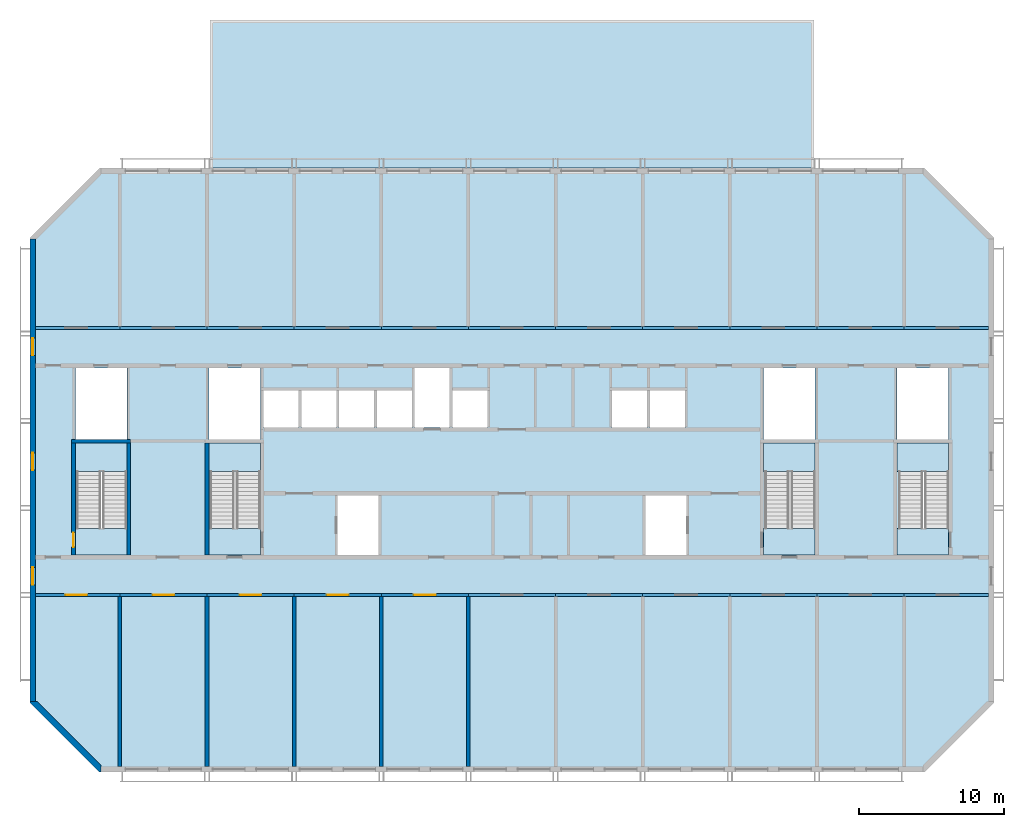
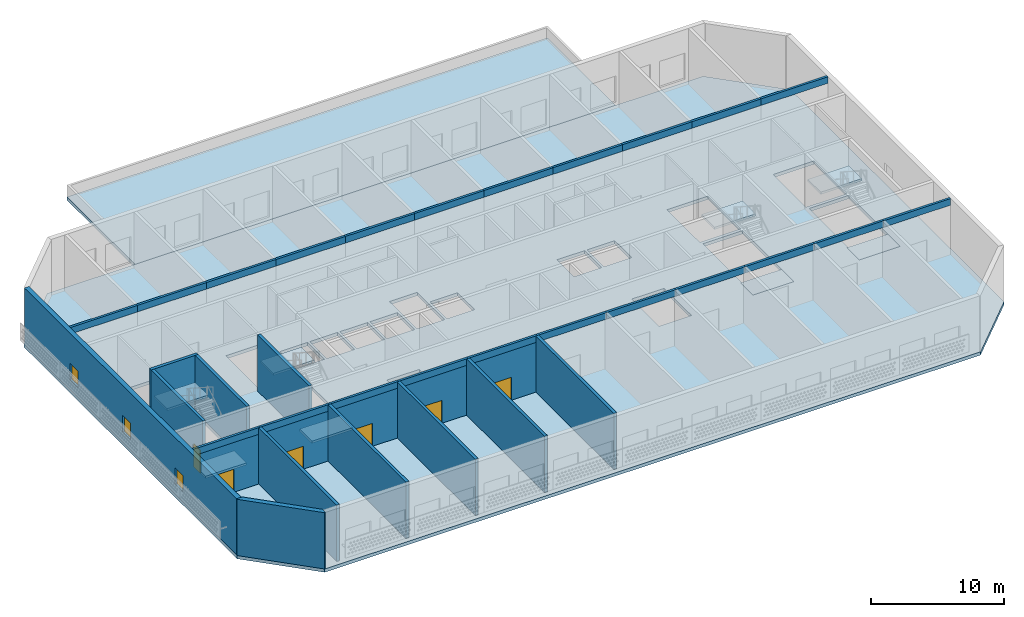
# One storey, part 1 of 18: 22 beams, 16 walls, 10 slabs, 6 doors, 3 windows, 9 openings, 4 elements without a shape of their own.
"""IFC4 building model written with IfcOpenShell, lengths in metres."""

import ifcopenshell
import ifcopenshell.guid

model = None  # the IFC model being written
_history = None  # IfcOwnerHistory: only IFC2X3 demands one
_inside = {}  # id of a spatial element -> (the spatial element, [elements in it])
_under = {}  # id of a project, library or spatial element -> (it, [spatial elements below it])
_declared = {}  # id of a project -> (the project, [libraries it declares])
_typed = {}  # id of a type object -> (the type object, [elements of that type])
_made_of = {}  # id of a material, layer set ... -> (it, [elements and type objects made of it])


def new_model(schema):
    """Start an empty IFC model of exactly this schema.

    Asked for "IFC4X3", IfcOpenShell would pick the latest addendum, in which some entities
    have other attributes; the version numbers below select the first issue.
    IFC2X3 requires an IfcOwnerHistory on every rooted entity: one is made here for all.
    """
    global model, _history
    if schema == "IFC4X3":
        model = ifcopenshell.file(schema_version=(4, 3, 0, 0))
    else:
        model = ifcopenshell.file(schema=schema)
    _inside.clear()
    _under.clear()
    _declared.clear()
    _typed.clear()
    _made_of.clear()
    _history = None
    if model.schema == "IFC2X3":
        org = make("IfcOrganization", Name="unknown")
        user = make(
            "IfcPersonAndOrganization",
            ThePerson=make("IfcPerson", FamilyName="unknown"),
            TheOrganization=org,
        )
        app = make(
            "IfcApplication",
            ApplicationDeveloper=org,
            Version="unknown",
            ApplicationFullName="unknown",
            ApplicationIdentifier="unknown",
        )
        _history = make(
            "IfcOwnerHistory",
            OwningUser=user,
            OwningApplication=app,
            ChangeAction="ADDED",
            CreationDate=0,
        )
    return model


def make(cls, **values):
    """One entity of the class cls with the attributes given. An attribute that is None is left unset."""
    return model.create_entity(
        cls, **{name: value for name, value in values.items() if value is not None}
    )


def rooted(cls, **values):
    """An entity with a GlobalId (a new one), such as an element, a storey or a relation."""
    return make(cls, GlobalId=ifcopenshell.guid.new(), OwnerHistory=_history, **values)


def si_unit(unit_type, name, prefix=None):
    """IfcSIUnit, for example si_unit("LENGTHUNIT", "METRE", prefix="MILLI")."""
    return make("IfcSIUnit", UnitType=unit_type, Prefix=prefix, Name=name)


def assignment(units):
    """IfcUnitAssignment: the units of a project."""
    return None if units is None else make("IfcUnitAssignment", Units=units)


def point(xyz):
    """IfcCartesianPoint."""
    return None if xyz is None else make("IfcCartesianPoint", Coordinates=xyz)


def direction(xyz):
    """IfcDirection."""
    return None if xyz is None else make("IfcDirection", DirectionRatios=xyz)


def frame(location, z_axis=None, x_axis=None):
    """IfcAxis2Placement3D, a coordinate frame: its origin and axes. An axis left out is left unset."""
    return make(
        "IfcAxis2Placement3D",
        Location=point(location),
        Axis=direction(z_axis),
        RefDirection=direction(x_axis),
    )


def frame_2d(location, x_axis=None):
    """IfcAxis2Placement2D, a coordinate frame in the plane: its origin and x axis."""
    return make(
        "IfcAxis2Placement2D", Location=point(location), RefDirection=direction(x_axis)
    )


def origin():
    """The frame at (0, 0, 0) with its axes left unset."""
    return frame((0.0, 0.0, 0.0))


def origin_2d():
    """The frame at (0, 0) in the plane with its x axis left unset."""
    return frame_2d((0.0, 0.0))


def place(relative_to, where):
    """IfcLocalPlacement: puts the frame where relative to a parent placement (None: the world)."""
    return make(
        "IfcLocalPlacement", PlacementRelTo=relative_to, RelativePlacement=where
    )


def context(
    kind, dimensions, precision=None, world=None, true_north=None, identifier=None
):
    """IfcGeometricRepresentationContext, for example the 3D "Model" context."""
    return make(
        "IfcGeometricRepresentationContext",
        ContextIdentifier=identifier,
        ContextType=kind,
        CoordinateSpaceDimension=dimensions,
        Precision=precision,
        WorldCoordinateSystem=world,
        TrueNorth=true_north,
    )


def subcontext(parent, identifier, kind, view, scale=None):
    """IfcGeometricRepresentationSubContext, for example "Body" below "Model"."""
    return make(
        "IfcGeometricRepresentationSubContext",
        ContextIdentifier=identifier,
        ContextType=kind,
        ParentContext=parent,
        TargetScale=scale,
        TargetView=view,
    )


def project(units=None, contexts=None):
    """IfcProject with its units and contexts."""
    return rooted(
        "IfcProject",
        Name="project",
        RepresentationContexts=contexts,
        UnitsInContext=assignment(units),
    )


def spatial(cls, under=None, at=None, **own):
    """A site, building, storey or space (cls), placed at a placement, below another one or the project."""
    s = rooted(cls, ObjectPlacement=at, **own)
    if under is not None:
        _under.setdefault(under.id(), (under, []))[1].append(s)
    return s


def polyline(points):
    """IfcPolyline through the points."""
    return make("IfcPolyline", Points=[point(p) for p in points])


def profile(cls, at=None, kind="AREA", **sizes):
    """A parametric profile (cls). Its sizes go by their IFC names, for example OverallWidth=200.0."""
    return make(cls, ProfileType=kind, Position=at, **sizes)


def rectangle(**sizes):
    """IfcRectangleProfileDef."""
    return profile("IfcRectangleProfileDef", **sizes)


def outline(outer, holes=None, kind="AREA"):
    """IfcArbitraryClosedProfileDef: a profile drawn as a closed curve; with holes, ...WithVoids."""
    if holes is None:
        return make("IfcArbitraryClosedProfileDef", ProfileType=kind, OuterCurve=outer)
    return make(
        "IfcArbitraryProfileDefWithVoids",
        ProfileType=kind,
        OuterCurve=outer,
        InnerCurves=holes,
    )


def extrude(swept, where, along, depth):
    """IfcExtrudedAreaSolid: the profile swept, set in the frame where, extruded along a direction by depth."""
    return make(
        "IfcExtrudedAreaSolid",
        SweptArea=swept,
        Position=where,
        ExtrudedDirection=direction(along),
        Depth=depth,
    )


def shape(context_of_items, identifier, shape_type, items):
    """IfcShapeRepresentation: the items that make up one representation, for example the "Body"."""
    return make(
        "IfcShapeRepresentation",
        ContextOfItems=context_of_items,
        RepresentationIdentifier=identifier,
        RepresentationType=shape_type,
        Items=items,
    )


def source(mapping_origin, context_of_items, identifier, shape_type, items):
    """IfcRepresentationMap: a shape defined once, which mapped items show again and again."""
    return make(
        "IfcRepresentationMap",
        MappingOrigin=mapping_origin,
        MappedRepresentation=shape(context_of_items, identifier, shape_type, items),
    )


def transform(
    local_origin,
    x_axis=None,
    y_axis=None,
    z_axis=None,
    scale=None,
    scale2=None,
    scale3=None,
    uniform=True,
):
    """IfcCartesianTransformationOperator3D, or its non-uniform kind. x_axis, y_axis, z_axis: its Axis1, 2, 3."""
    if uniform:
        return make(
            "IfcCartesianTransformationOperator3D",
            Axis1=direction(x_axis),
            Axis2=direction(y_axis),
            LocalOrigin=point(local_origin),
            Scale=scale,
            Axis3=direction(z_axis),
        )
    return make(
        "IfcCartesianTransformationOperator3DnonUniform",
        Axis1=direction(x_axis),
        Axis2=direction(y_axis),
        LocalOrigin=point(local_origin),
        Scale=scale,
        Axis3=direction(z_axis),
        Scale2=scale2,
        Scale3=scale3,
    )


def mapped(mapping_source, mapping_target):
    """IfcMappedItem: shows the shape of a source again, moved by a transform."""
    return make(
        "IfcMappedItem", MappingSource=mapping_source, MappingTarget=mapping_target
    )


def material(Name=None, Category=None):
    """IfcMaterial."""
    return make("IfcMaterial", Name=Name, Category=Category)


def layer(
    of_material, thickness, ventilated=None, Name=None, Category=None, Priority=None
):
    """IfcMaterialLayer: one layer of a wall or slab, of a material (None: an air gap)."""
    return make(
        "IfcMaterialLayer",
        Material=of_material,
        LayerThickness=thickness,
        IsVentilated=ventilated,
        Name=Name,
        Category=Category,
        Priority=Priority,
    )


def layer_set(layers, Name=None):
    """IfcMaterialLayerSet."""
    return make("IfcMaterialLayerSet", MaterialLayers=layers, LayerSetName=Name)


def material_profile(
    of_material, cross_section, Name=None, Category=None, Priority=None
):
    """IfcMaterialProfile: a cross section and its material."""
    return make(
        "IfcMaterialProfile",
        Name=Name,
        Material=of_material,
        Profile=cross_section,
        Priority=Priority,
        Category=Category,
    )


def profile_set(profiles, Name=None, composite=None):
    """IfcMaterialProfileSet."""
    return make(
        "IfcMaterialProfileSet",
        Name=Name,
        MaterialProfiles=profiles,
        CompositeProfile=composite,
    )


def made_of(thing, what):
    """Note that an element or type object is made of a material, layer set ...; save() writes the relation."""
    if what is not None:
        _made_of.setdefault(what.id(), (what, []))[1].append(thing)
    return thing


def type_object(cls, material=None, **own):
    """A type object (cls), such as IfcWallType, which elements share."""
    return made_of(rooted(cls, **own), material)


def element(
    cls,
    number,
    at=None,
    inside=None,
    cuts=None,
    type_object=None,
    material=None,
    context=None,
    identifier="Body",
    shape_type=None,
    held_by="IfcProductDefinitionShape",
    body=None,
    shapes=None,
    **own,
):
    """One element of the class cls, such as IfcWall. Its Tag is "e" and its number.

    at: its placement. inside: the storey or other place that contains it. cuts: it is an
    opening in that element (IfcRelVoidsElement). A single representation is given by context,
    identifier, shape_type and body (its items); several are given by shapes. held_by: the class
    of the entity that holds the representations. save() writes the other relations.
    """
    e = rooted(cls, Tag="e%d" % number, ObjectPlacement=at, **own)
    if body is not None:
        shapes = [shape(context, identifier, shape_type, body)]
    if shapes is not None:
        e.Representation = make(held_by, Representations=shapes)
    if inside is not None:
        _inside.setdefault(inside.id(), (inside, []))[1].append(e)
    if cuts is not None:
        rooted(
            "IfcRelVoidsElement", RelatingBuildingElement=cuts, RelatedOpeningElement=e
        )
    if type_object is not None:
        _typed.setdefault(type_object.id(), (type_object, []))[1].append(e)
    return made_of(e, material)


def fill(opening, filler):
    """IfcRelFillsElement: the door or window that sits in an opening."""
    return rooted(
        "IfcRelFillsElement",
        RelatingOpeningElement=opening,
        RelatedBuildingElement=filler,
    )


def aggregate(whole, parts):
    """IfcRelAggregates: a whole, such as a stair, and the parts it consists of."""
    return rooted("IfcRelAggregates", RelatingObject=whole, RelatedObjects=parts)


def save(model, path):
    """Write the relations noted so far, then the file.

    IfcRelAggregates (storeys below a building ...), IfcRelContainedInSpatialStructure (elements
    in a storey), IfcRelDefinesByType, IfcRelAssociatesMaterial and IfcRelDeclares: one each for
    every whole, place, type object, material and project.
    """
    for whole, parts in _under.values():
        aggregate(whole, parts)
    for where, things in _inside.values():
        rooted(
            "IfcRelContainedInSpatialStructure",
            RelatedElements=things,
            RelatingStructure=where,
        )
    for kind, things in _typed.values():
        rooted("IfcRelDefinesByType", RelatedObjects=things, RelatingType=kind)
    for what, things in _made_of.values():
        rooted("IfcRelAssociatesMaterial", RelatedObjects=things, RelatingMaterial=what)
    for by, libraries in _declared.values():
        rooted("IfcRelDeclares", RelatingContext=by, RelatedDefinitions=libraries)
    model.write(path)


model = new_model("IFC4")

# Units and contexts
model_context = context("Model", 3, precision=1e-05, world=origin(), true_north=direction((0.0, 1.0)))
body_context = subcontext(model_context, "Body", "Model", "MODEL_VIEW")
ifc_project = project(units=[si_unit("LENGTHUNIT", "METRE"), si_unit("AREAUNIT", "SQUARE_METRE"), si_unit("VOLUMEUNIT", "CUBIC_METRE"), si_unit("PLANEANGLEUNIT", "RADIAN"), si_unit("MASSUNIT", "GRAM", prefix="KILO")], contexts=[model_context])

# Site, building, storey
site_placement = place(None, origin())
site = spatial("IfcSite", under=ifc_project, at=site_placement, CompositionType="ELEMENT")
building_placement = place(site_placement, origin())
building = spatial("IfcBuilding", under=site, at=building_placement, Name="Poui Terraces", CompositionType="ELEMENT")
storey_placement = place(building_placement, frame((0.0, 0.0, 267.0)))
storey = spatial("IfcBuildingStorey", under=building, at=storey_placement, Name="L74", CompositionType="ELEMENT", Elevation=267.0)

# Beams
ifc_material_1 = material(Name="Concrete 50 MPa", Category="concrete")
ifc_material_profile = material_profile(ifc_material_1, rectangle(XDim=0.199951171875, YDim=0.60009765625, at=origin_2d()), Name="RC 200x600")
ifc_profile_set = profile_set([ifc_material_profile], Name="Concrete 50 MPa")
beam_type = type_object("IfcBeamType", Name="COUPLING BEAM 200x600 50MPa", PredefinedType="BEAM", material=ifc_profile_set)
shared_shape_1 = source(origin(), body_context, "Body", "SweptSolid", [
    extrude(rectangle(XDim=0.199951171875, YDim=0.60009765625, at=origin_2d()), origin(), (0.0, 0.0, 1.0), 5.800048828125),
])
for number, where, z_axis, x_axis, name in (
    (1, (18.199951171875, 12.0, 4.85009765625), (1.0, 0.0, 0.0), (0.0, 1.0, 0.0), "COUPLING BEAM LINE B BAY 1"),
    (2, (78.0, 12.0, 4.85009765625), (1.0, 0.0, 0.0), (0.0, 1.0, 0.0), "COUPLING BEAM LINE B BAY 11"),
    (3, (18.199951171875, 30.39990234375, 4.85009765625), (1.0, 0.0, 0.0), (0.0, 1.0, 0.0), "COUPLING BEAM LINE E BAY 1"),
    (4, (78.0, 30.39990234375, 4.85009765625), (1.0, 0.0, 0.0), (0.0, 1.0, 0.0), "COUPLING BEAM LINE E BAY 11"),
):
    element("IfcBeam", number, at=place(storey_placement, frame(where, z_axis=z_axis, x_axis=x_axis)), inside=storey, type_object=beam_type, Name=name, PredefinedType="BEAM", context=body_context, shape_type="MappedRepresentation", body=[
        mapped(shared_shape_1, transform((0.0, 0.0, 0.0))),
    ])
shared_shape_2 = source(origin(), body_context, "Body", "SweptSolid", [
    extrude(rectangle(XDim=0.199951171875, YDim=0.60009765625, at=origin_2d()), origin(), (0.0, 0.0, 1.0), 6.0),
])
for number, where, z_axis, x_axis, name in (
    (5, (24.0, 12.0, 4.85009765625), (1.0, 0.0, 0.0), (0.0, 1.0, 0.0), "COUPLING BEAM LINE B BAY 2"),
    (6, (30.0, 12.0, 4.85009765625), (1.0, 0.0, 0.0), (0.0, 1.0, 0.0), "COUPLING BEAM LINE B BAY 3"),
    (7, (36.0, 12.0, 4.85009765625), (1.0, 0.0, 0.0), (0.0, 1.0, 0.0), "COUPLING BEAM LINE B BAY 4"),
    (8, (42.0, 12.0, 4.85009765625), (1.0, 0.0, 0.0), (0.0, 1.0, 0.0), "COUPLING BEAM LINE B BAY 5"),
    (9, (48.0, 12.0, 4.85009765625), (1.0, 0.0, 0.0), (0.0, 1.0, 0.0), "COUPLING BEAM LINE B BAY 6"),
    (10, (54.0, 12.0, 4.85009765625), (1.0, 0.0, 0.0), (0.0, 1.0, 0.0), "COUPLING BEAM LINE B BAY 7"),
    (11, (60.0, 12.0, 4.85009765625), (1.0, 0.0, 0.0), (0.0, 1.0, 0.0), "COUPLING BEAM LINE B BAY 8"),
    (12, (66.0, 12.0, 4.85009765625), (1.0, 0.0, 0.0), (0.0, 1.0, 0.0), "COUPLING BEAM LINE B BAY 9"),
    (13, (72.0, 12.0, 4.85009765625), (1.0, 0.0, 0.0), (0.0, 1.0, 0.0), "COUPLING BEAM LINE B BAY 10"),
    (14, (24.0, 30.39990234375, 4.85009765625), (1.0, 0.0, 0.0), (0.0, 1.0, 0.0), "COUPLING BEAM LINE E BAY 2"),
    (15, (30.0, 30.39990234375, 4.85009765625), (1.0, 0.0, 0.0), (0.0, 1.0, 0.0), "COUPLING BEAM LINE E BAY 3"),
    (16, (36.0, 30.39990234375, 4.85009765625), (1.0, 0.0, 0.0), (0.0, 1.0, 0.0), "COUPLING BEAM LINE E BAY 4"),
    (17, (42.0, 30.39990234375, 4.85009765625), (1.0, 0.0, 0.0), (0.0, 1.0, 0.0), "COUPLING BEAM LINE E BAY 5"),
    (18, (48.0, 30.39990234375, 4.85009765625), (1.0, 0.0, 0.0), (0.0, 1.0, 0.0), "COUPLING BEAM LINE E BAY 6"),
    (19, (54.0, 30.39990234375, 4.85009765625), (1.0, 0.0, 0.0), (0.0, 1.0, 0.0), "COUPLING BEAM LINE E BAY 7"),
    (20, (60.0, 30.39990234375, 4.85009765625), (1.0, 0.0, 0.0), (0.0, 1.0, 0.0), "COUPLING BEAM LINE E BAY 8"),
    (21, (66.0, 30.39990234375, 4.85009765625), (1.0, 0.0, 0.0), (0.0, 1.0, 0.0), "COUPLING BEAM LINE E BAY 9"),
    (22, (72.0, 30.39990234375, 4.85009765625), (1.0, 0.0, 0.0), (0.0, 1.0, 0.0), "COUPLING BEAM LINE E BAY 10"),
):
    element("IfcBeam", number, at=place(storey_placement, frame(where, z_axis=z_axis, x_axis=x_axis)), inside=storey, type_object=beam_type, Name=name, PredefinedType="BEAM", context=body_context, shape_type="MappedRepresentation", body=[
        mapped(shared_shape_2, transform((0.0, 0.0, 0.0))),
    ])

# Stair, slabs
stair_type = type_object("IfcStairType", Name="EXIT STAIR 1650 50 MPA", PredefinedType="HALF_TURN_STAIR", material=ifc_material_1)
stair_1_placement = place(storey_placement, origin())
stair_1 = element("IfcStair", 23, at=stair_1_placement, inside=storey, type_object=stair_type, Name="L74 CORE STAIR EAST", PredefinedType="HALF_TURN_STAIR")
ifc_layer_1 = layer(ifc_material_1, 0.199951171875)
ifc_layer_set_1 = layer_set([ifc_layer_1], Name="Concrete 50 MPa")
slab_type_1 = type_object("IfcSlabType", Name="STAIR LANDING 200 50 MPA", PredefinedType="LANDING", material=ifc_layer_set_1)
slab_1_placement = place(storey_placement, frame((0.0, 0.0, 2.5)))
slab_1 = element("IfcSlab", 24, at=slab_1_placement, type_object=slab_type_1, Name="ST-CE landing 1", PredefinedType="LANDING", context=body_context, shape_type="SweptSolid", body=[
    extrude(outline(polyline([(68.324951171875, 20.52001953125), (71.875, 20.52001953125), (71.875, 22.47509765625), (68.324951171875, 22.47509765625), (68.324951171875, 20.52001953125)])), origin(), (0.0, 0.0, 1.0), 0.199951171875),
])
slab_2_placement = place(storey_placement, frame((0.0, 0.0, -0.2001953125)))
slab_2 = element("IfcSlab", 25, at=slab_2_placement, type_object=slab_type_1, Name="ST-CE landing 2", PredefinedType="LANDING", context=body_context, shape_type="SweptSolid", body=[
    extrude(outline(polyline([(68.324951171875, 14.75), (71.875, 14.75), (71.875, 16.60009765625), (68.324951171875, 16.60009765625), (68.324951171875, 14.75)])), origin(), (0.0, 0.0, 1.0), 0.2001953125),
])
aggregate(stair_1, [slab_1, slab_2])

stair_2_placement = place(storey_placement, origin())
stair_2 = element("IfcStair", 26, at=stair_2_placement, inside=storey, type_object=stair_type, Name="L74 CORE STAIR WEST", PredefinedType="HALF_TURN_STAIR")
slab_3_placement = place(storey_placement, frame((0.0, 0.0, 2.5)))
slab_3 = element("IfcSlab", 27, at=slab_3_placement, type_object=slab_type_1, Name="ST-CW landing 1", PredefinedType="LANDING", context=body_context, shape_type="SweptSolid", body=[
    extrude(outline(polyline([(30.125, 20.52001953125), (33.675048828125, 20.52001953125), (33.675048828125, 22.47509765625), (30.125, 22.47509765625), (30.125, 20.52001953125)])), origin(), (0.0, 0.0, 1.0), 0.199951171875),
])
slab_4_placement = place(storey_placement, frame((0.0, 0.0, -0.2001953125)))
slab_4 = element("IfcSlab", 28, at=slab_4_placement, type_object=slab_type_1, Name="ST-CW landing 2", PredefinedType="LANDING", context=body_context, shape_type="SweptSolid", body=[
    extrude(outline(polyline([(30.125, 14.75), (33.675048828125, 14.75), (33.675048828125, 16.60009765625), (30.125, 16.60009765625), (30.125, 14.75)])), origin(), (0.0, 0.0, 1.0), 0.2001953125),
])
aggregate(stair_2, [slab_3, slab_4])

stair_3_placement = place(storey_placement, origin())
stair_3 = element("IfcStair", 29, at=stair_3_placement, inside=storey, type_object=stair_type, Name="L74 TIP STAIR EAST", PredefinedType="HALF_TURN_STAIR")
slab_5_placement = place(storey_placement, frame((0.0, 0.0, 2.5)))
slab_5 = element("IfcSlab", 30, at=slab_5_placement, type_object=slab_type_1, Name="ST-E landing 1", PredefinedType="LANDING", context=body_context, shape_type="SweptSolid", body=[
    extrude(outline(polyline([(77.52490234375, 20.52001953125), (81.074951171875, 20.52001953125), (81.074951171875, 22.47509765625), (77.52490234375, 22.47509765625), (77.52490234375, 20.52001953125)])), origin(), (0.0, 0.0, 1.0), 0.199951171875),
])
slab_6_placement = place(storey_placement, frame((0.0, 0.0, -0.2001953125)))
slab_6 = element("IfcSlab", 31, at=slab_6_placement, type_object=slab_type_1, Name="ST-E landing 2", PredefinedType="LANDING", context=body_context, shape_type="SweptSolid", body=[
    extrude(outline(polyline([(77.52490234375, 14.75), (81.074951171875, 14.75), (81.074951171875, 16.60009765625), (77.52490234375, 16.60009765625), (77.52490234375, 14.75)])), origin(), (0.0, 0.0, 1.0), 0.2001953125),
])
aggregate(stair_3, [slab_5, slab_6])

stair_4_placement = place(storey_placement, origin())
stair_4 = element("IfcStair", 32, at=stair_4_placement, inside=storey, type_object=stair_type, Name="L74 TIP STAIR WEST", PredefinedType="HALF_TURN_STAIR")
slab_7_placement = place(storey_placement, frame((0.0, 0.0, 2.5)))
slab_7 = element("IfcSlab", 33, at=slab_7_placement, type_object=slab_type_1, Name="ST-W landing 1", PredefinedType="LANDING", context=body_context, shape_type="SweptSolid", body=[
    extrude(outline(polyline([(20.925048828125, 20.52001953125), (24.47509765625, 20.52001953125), (24.47509765625, 22.47509765625), (20.925048828125, 22.47509765625), (20.925048828125, 20.52001953125)])), origin(), (0.0, 0.0, 1.0), 0.199951171875),
])
slab_8_placement = place(storey_placement, frame((0.0, 0.0, -0.2001953125)))
slab_8 = element("IfcSlab", 34, at=slab_8_placement, type_object=slab_type_1, Name="ST-W landing 2", PredefinedType="LANDING", context=body_context, shape_type="SweptSolid", body=[
    extrude(outline(polyline([(20.925048828125, 14.75), (24.47509765625, 14.75), (24.47509765625, 16.60009765625), (20.925048828125, 16.60009765625), (20.925048828125, 14.75)])), origin(), (0.0, 0.0, 1.0), 0.2001953125),
])
aggregate(stair_4, [slab_7, slab_8])

# Slabs
ifc_material_2 = material(Name="Concrete 40 MPa", Category="concrete")
ifc_layer_2 = layer(ifc_material_2, 0.300048828125)
ifc_layer_set_2 = layer_set([ifc_layer_2], Name="Concrete 40 MPa")
slab_type_2 = type_object("IfcSlabType", Name="FLOOR SLAB 300", PredefinedType="FLOOR", material=ifc_layer_set_2)
shared_shape_3 = source(origin(), body_context, "Body", "SweptSolid", [
    extrude(outline(polyline([(0.0, 0.0), (4.800048828125, -4.800048828125), (61.599853515625, -4.800048828125), (66.39990234375, 0.0), (66.39990234375, 32.0), (61.599853515625, 36.7998046875), (4.800048828125, 36.7998046875), (0.0, 32.0), (0.0, 0.0)]), holes=[polyline([(21.199951171875, 10.14990234375), (21.199951171875, 14.25), (24.0, 14.25), (24.0, 10.14990234375), (21.199951171875, 10.14990234375)]), polyline([(3.224853515625, 17.849853515625), (6.675048828125, 17.849853515625), (6.675048828125, 12.0), (6.675048828125, 10.14990234375), (3.125, 10.14990234375), (3.125, 12.0), (3.224853515625, 12.0), (3.224853515625, 17.849853515625)]), polyline([(12.425048828125, 17.849853515625), (15.875, 17.849853515625), (15.875, 12.0), (15.875, 10.14990234375), (12.324951171875, 10.14990234375), (12.324951171875, 12.0), (12.425048828125, 12.0), (12.425048828125, 17.849853515625)]), polyline([(16.099853515625, 18.949951171875), (16.099853515625, 21.5), (18.5, 21.5), (18.5, 18.949951171875), (16.099853515625, 18.949951171875)]), polyline([(18.699951171875, 18.949951171875), (18.699951171875, 21.5), (21.099853515625, 21.5), (21.099853515625, 18.949951171875), (18.699951171875, 18.949951171875)]), polyline([(21.300048828125, 18.949951171875), (21.300048828125, 21.5), (23.699951171875, 21.5), (23.699951171875, 18.949951171875), (21.300048828125, 18.949951171875)]), polyline([(23.89990234375, 18.949951171875), (23.89990234375, 21.5), (26.300048828125, 21.5), (26.300048828125, 18.949951171875), (23.89990234375, 18.949951171875)]), polyline([(3.125, 23.0498046875), (6.675048828125, 23.0498046875), (6.675048828125, 18.125), (3.125, 18.125), (3.125, 23.0498046875)]), polyline([(12.324951171875, 23.0498046875), (15.875, 23.0498046875), (15.875, 18.125), (12.324951171875, 18.125), (12.324951171875, 23.0498046875)]), polyline([(42.39990234375, 10.14990234375), (42.39990234375, 14.25), (45.199951171875, 14.25), (45.199951171875, 10.14990234375), (42.39990234375, 10.14990234375)]), polyline([(50.625, 17.849853515625), (54.074951171875, 17.849853515625), (54.074951171875, 12.0), (54.074951171875, 10.14990234375), (50.52490234375, 10.14990234375), (50.52490234375, 12.0), (50.625, 12.0), (50.625, 17.849853515625)]), polyline([(59.824951171875, 17.849853515625), (63.27490234375, 17.849853515625), (63.27490234375, 12.0), (63.27490234375, 10.14990234375), (59.724853515625, 10.14990234375), (59.724853515625, 12.0), (59.824951171875, 12.0), (59.824951171875, 17.849853515625)]), polyline([(29.099853515625, 18.949951171875), (29.099853515625, 21.5), (31.5, 21.5), (31.5, 18.949951171875), (29.099853515625, 18.949951171875)]), polyline([(40.099853515625, 18.949951171875), (40.099853515625, 21.5), (42.5, 21.5), (42.5, 18.949951171875), (40.099853515625, 18.949951171875)]), polyline([(42.699951171875, 18.949951171875), (42.699951171875, 21.5), (45.099853515625, 21.5), (45.099853515625, 18.949951171875), (42.699951171875, 18.949951171875)]), polyline([(50.52490234375, 18.125), (50.52490234375, 23.0498046875), (54.074951171875, 23.0498046875), (54.074951171875, 18.125), (50.52490234375, 18.125)]), polyline([(59.724853515625, 23.0498046875), (63.27490234375, 23.0498046875), (63.27490234375, 18.125), (59.724853515625, 18.125), (59.724853515625, 23.0498046875)]), polyline([(26.5, 23.0498046875), (28.89990234375, 23.0498046875), (28.89990234375, 18.949951171875), (26.5, 18.949951171875), (26.5, 23.0498046875)])]), origin(), (0.0, 0.0, 1.0), 0.300048828125),
])
slab_9_placement = place(storey_placement, frame((17.800048828125, 4.60009765625, -0.300048828125)))
element("IfcSlab", 35, at=slab_9_placement, inside=storey, type_object=slab_type_2, Name="FLOOR SLAB", PredefinedType="FLOOR", context=body_context, shape_type="MappedRepresentation", body=[
    mapped(shared_shape_3, transform((0.0, 0.0, 0.0))),
])
ifc_layer_3 = layer(ifc_material_2, 0.300048828125)
ifc_layer_set_3 = layer_set([ifc_layer_3], Name="Concrete 40 MPa")
slab_type_3 = type_object("IfcSlabType", Name="LOUNGE ROOF SLAB 300", PredefinedType="ROOF", material=ifc_layer_set_3)
shared_shape_4 = source(origin(), body_context, "Body", "SweptSolid", [
    extrude(outline(polyline([(0.0, 0.0), (0.0, 10.2001953125), (-41.60009765625, 10.2001953125), (-41.60009765625, 0.0), (0.0, 0.0)])), origin(), (0.0, 0.0, 1.0), 0.300048828125),
])
slab_10_placement = place(storey_placement, frame((71.800048828125, 41.39990234375, -0.300048828125)))
element("IfcSlab", 36, at=slab_10_placement, inside=storey, type_object=slab_type_3, Name="LOUNGE ROOF SLAB", PredefinedType="ROOF", context=body_context, shape_type="MappedRepresentation", body=[
    mapped(shared_shape_4, transform((0.0, 0.0, 0.0))),
])

# Wall, opening, door
ifc_layer_4 = layer(ifc_material_1, 0.199951171875)
ifc_layer_set_4 = layer_set([ifc_layer_4], Name="Concrete 50 MPa")
wall_type_1 = type_object("IfcWallType", Name="CORRIDOR WALL 200 50MPa", PredefinedType="SHEAR", material=ifc_layer_set_4)
wall_1_placement = place(storey_placement, frame((18.199951171875, 12.0, 0.0), z_axis=(0.0, 0.0, 1.0), x_axis=(1.0, 0.0, 0.0)))
wall_1 = element("IfcWall", 37, at=wall_1_placement, inside=storey, type_object=wall_type_1, Name="CORRIDOR WALL LINE B BAY 1", PredefinedType="SHEAR", context=body_context, shape_type="SweptSolid", body=[
    extrude(rectangle(XDim=5.800048828125, YDim=0.199951171875, at=frame_2d((2.89990234375, 0.0))), origin(), (0.0, 0.0, 1.0), 4.550048828125),
])
opening_1_placement = place(wall_1_placement, frame((2.050048828125, 0.0, 0.0)))
opening_1 = element("IfcOpeningElement", 38, at=opening_1_placement, cuts=wall_1, Name="Opening FDP", PredefinedType="OPENING", context=body_context, shape_type="SweptSolid", body=[
    extrude(rectangle(XDim=1.5, YDim=2.10009765625, at=frame_2d((0.75, 1.050048828125))), frame((0.0, 0.10986328125, 0.0), z_axis=(0.0, -1.0, 0.0), x_axis=(1.0, 0.0, 0.0)), (0.0, 0.0, 1.0), 0.219970703125),
])
ifc_material_3 = material(Name="Steel fire door", Category="steel")
door_type_1 = type_object("IfcDoorType", Name="PLANT ROOM DOOR PAIR 1500 X 2100", OperationType="DOUBLE_DOOR_SINGLE_SWING", PredefinedType="DOOR", material=ifc_material_3)
door_1_placement = place(opening_1_placement, origin())
door_1 = element("IfcDoor", 39, at=door_1_placement, inside=storey, type_object=door_type_1, Name="PLANT ROOM DOOR PAIR 030", OperationType="DOUBLE_DOOR_SINGLE_SWING", OverallHeight=2.10009765625, OverallWidth=1.5, PredefinedType="DOOR", context=body_context, shape_type="SweptSolid", body=[
    extrude(rectangle(XDim=1.5, YDim=2.10009765625, at=frame_2d((0.75, 1.050048828125))), frame((0.0, 0.02490234375, 0.0), z_axis=(0.0, -1.0, 0.0), x_axis=(1.0, 0.0, 0.0)), (0.0, 0.0, 1.0), 0.050048828125),
])
fill(opening_1, door_1)

wall_2_placement = place(storey_placement, frame((24.0, 12.0, 0.0), z_axis=(0.0, 0.0, 1.0), x_axis=(1.0, 0.0, 0.0)))
wall_2 = element("IfcWall", 40, at=wall_2_placement, inside=storey, type_object=wall_type_1, Name="CORRIDOR WALL LINE B BAY 2", PredefinedType="SHEAR", context=body_context, shape_type="SweptSolid", body=[
    extrude(rectangle(XDim=6.0, YDim=0.199951171875, at=frame_2d((3.0, 0.0))), origin(), (0.0, 0.0, 1.0), 4.550048828125),
])
opening_2_placement = place(wall_2_placement, frame((2.25, 0.0, 0.0)))
opening_2 = element("IfcOpeningElement", 41, at=opening_2_placement, cuts=wall_2, Name="Opening FDP", PredefinedType="OPENING", context=body_context, shape_type="SweptSolid", body=[
    extrude(rectangle(XDim=1.5, YDim=2.10009765625, at=frame_2d((0.75, 1.050048828125))), frame((0.0, 0.10986328125, 0.0), z_axis=(0.0, -1.0, 0.0), x_axis=(1.0, 0.0, 0.0)), (0.0, 0.0, 1.0), 0.219970703125),
])
door_2_placement = place(opening_2_placement, origin())
door_2 = element("IfcDoor", 42, at=door_2_placement, inside=storey, type_object=door_type_1, Name="PLANT ROOM DOOR PAIR 031", OperationType="DOUBLE_DOOR_SINGLE_SWING", OverallHeight=2.10009765625, OverallWidth=1.5, PredefinedType="DOOR", context=body_context, shape_type="SweptSolid", body=[
    extrude(rectangle(XDim=1.5, YDim=2.10009765625, at=frame_2d((0.75, 1.050048828125))), frame((0.0, 0.02490234375, 0.0), z_axis=(0.0, -1.0, 0.0), x_axis=(1.0, 0.0, 0.0)), (0.0, 0.0, 1.0), 0.050048828125),
])
fill(opening_2, door_2)

wall_3_placement = place(storey_placement, frame((30.0, 12.0, 0.0), z_axis=(0.0, 0.0, 1.0), x_axis=(1.0, 0.0, 0.0)))
wall_3 = element("IfcWall", 43, at=wall_3_placement, inside=storey, type_object=wall_type_1, Name="CORRIDOR WALL LINE B BAY 3", PredefinedType="SHEAR", context=body_context, shape_type="SweptSolid", body=[
    extrude(rectangle(XDim=6.0, YDim=0.199951171875, at=frame_2d((3.0, 0.0))), origin(), (0.0, 0.0, 1.0), 4.550048828125),
])
opening_3_placement = place(wall_3_placement, frame((2.25, 0.0, 0.0)))
opening_3 = element("IfcOpeningElement", 44, at=opening_3_placement, cuts=wall_3, Name="Opening FDP", PredefinedType="OPENING", context=body_context, shape_type="SweptSolid", body=[
    extrude(rectangle(XDim=1.5, YDim=2.10009765625, at=frame_2d((0.75, 1.050048828125))), frame((0.0, 0.10986328125, 0.0), z_axis=(0.0, -1.0, 0.0), x_axis=(1.0, 0.0, 0.0)), (0.0, 0.0, 1.0), 0.219970703125),
])
door_3_placement = place(opening_3_placement, origin())
door_3 = element("IfcDoor", 45, at=door_3_placement, inside=storey, type_object=door_type_1, Name="PLANT ROOM DOOR PAIR 034", OperationType="DOUBLE_DOOR_SINGLE_SWING", OverallHeight=2.10009765625, OverallWidth=1.5, PredefinedType="DOOR", context=body_context, shape_type="SweptSolid", body=[
    extrude(rectangle(XDim=1.5, YDim=2.10009765625, at=frame_2d((0.75, 1.050048828125))), frame((0.0, 0.02490234375, 0.0), z_axis=(0.0, -1.0, 0.0), x_axis=(1.0, 0.0, 0.0)), (0.0, 0.0, 1.0), 0.050048828125),
])
fill(opening_3, door_3)

wall_4_placement = place(storey_placement, frame((36.0, 12.0, 0.0), z_axis=(0.0, 0.0, 1.0), x_axis=(1.0, 0.0, 0.0)))
wall_4 = element("IfcWall", 46, at=wall_4_placement, inside=storey, type_object=wall_type_1, Name="CORRIDOR WALL LINE B BAY 4", PredefinedType="SHEAR", context=body_context, shape_type="SweptSolid", body=[
    extrude(rectangle(XDim=6.0, YDim=0.199951171875, at=frame_2d((3.0, 0.0))), origin(), (0.0, 0.0, 1.0), 4.550048828125),
])
opening_4_placement = place(wall_4_placement, frame((2.25, 0.0, 0.0)))
opening_4 = element("IfcOpeningElement", 47, at=opening_4_placement, cuts=wall_4, Name="Opening FDP", PredefinedType="OPENING", context=body_context, shape_type="SweptSolid", body=[
    extrude(rectangle(XDim=1.5, YDim=2.10009765625, at=frame_2d((0.75, 1.050048828125))), frame((0.0, 0.10986328125, 0.0), z_axis=(0.0, -1.0, 0.0), x_axis=(1.0, 0.0, 0.0)), (0.0, 0.0, 1.0), 0.219970703125),
])
door_4_placement = place(opening_4_placement, origin())
door_4 = element("IfcDoor", 48, at=door_4_placement, inside=storey, type_object=door_type_1, Name="PLANT ROOM DOOR PAIR 035", OperationType="DOUBLE_DOOR_SINGLE_SWING", OverallHeight=2.10009765625, OverallWidth=1.5, PredefinedType="DOOR", context=body_context, shape_type="SweptSolid", body=[
    extrude(rectangle(XDim=1.5, YDim=2.10009765625, at=frame_2d((0.75, 1.050048828125))), frame((0.0, 0.02490234375, 0.0), z_axis=(0.0, -1.0, 0.0), x_axis=(1.0, 0.0, 0.0)), (0.0, 0.0, 1.0), 0.050048828125),
])
fill(opening_4, door_4)

wall_5_placement = place(storey_placement, frame((42.0, 12.0, 0.0), z_axis=(0.0, 0.0, 1.0), x_axis=(1.0, 0.0, 0.0)))
wall_5 = element("IfcWall", 49, at=wall_5_placement, inside=storey, type_object=wall_type_1, Name="CORRIDOR WALL LINE B BAY 5", PredefinedType="SHEAR", context=body_context, shape_type="SweptSolid", body=[
    extrude(rectangle(XDim=6.0, YDim=0.199951171875, at=frame_2d((3.0, 0.0))), origin(), (0.0, 0.0, 1.0), 4.550048828125),
])
opening_5_placement = place(wall_5_placement, frame((2.25, 0.0, 0.0)))
opening_5 = element("IfcOpeningElement", 50, at=opening_5_placement, cuts=wall_5, Name="Opening FDP", PredefinedType="OPENING", context=body_context, shape_type="SweptSolid", body=[
    extrude(rectangle(XDim=1.5, YDim=2.10009765625, at=frame_2d((0.75, 1.050048828125))), frame((0.0, 0.10986328125, 0.0), z_axis=(0.0, -1.0, 0.0), x_axis=(1.0, 0.0, 0.0)), (0.0, 0.0, 1.0), 0.219970703125),
])
door_5_placement = place(opening_5_placement, origin())
door_5 = element("IfcDoor", 51, at=door_5_placement, inside=storey, type_object=door_type_1, Name="PLANT ROOM DOOR PAIR 036", OperationType="DOUBLE_DOOR_SINGLE_SWING", OverallHeight=2.10009765625, OverallWidth=1.5, PredefinedType="DOOR", context=body_context, shape_type="SweptSolid", body=[
    extrude(rectangle(XDim=1.5, YDim=2.10009765625, at=frame_2d((0.75, 1.050048828125))), frame((0.0, 0.02490234375, 0.0), z_axis=(0.0, -1.0, 0.0), x_axis=(1.0, 0.0, 0.0)), (0.0, 0.0, 1.0), 0.050048828125),
])
fill(opening_5, door_5)

# Walls
ifc_layer_5 = layer(ifc_material_1, 0.25)
ifc_layer_set_5 = layer_set([ifc_layer_5], Name="Concrete 50 MPa")
wall_type_2 = type_object("IfcWallType", Name="CROSS WALL 250 50MPa", PredefinedType="SHEAR", material=ifc_layer_set_5)
for number, where, z_axis, x_axis, name in (
    (52, (24.0, 0.199951171875, 0.0), (0.0, 0.0, 1.0), (0.0, 1.0, 0.0), "CROSS WALL LINE 5 SOUTH"),
    (53, (30.0, 0.199951171875, 0.0), (0.0, 0.0, 1.0), (0.0, 1.0, 0.0), "CROSS WALL LINE 6 SOUTH"),
    (54, (36.0, 0.199951171875, 0.0), (0.0, 0.0, 1.0), (0.0, 1.0, 0.0), "CROSS WALL LINE 7 SOUTH"),
    (55, (42.0, 0.199951171875, 0.0), (0.0, 0.0, 1.0), (0.0, 1.0, 0.0), "CROSS WALL LINE 8 SOUTH"),
    (56, (48.0, 0.199951171875, 0.0), (0.0, 0.0, 1.0), (0.0, 1.0, 0.0), "CROSS WALL LINE 9 SOUTH"),
):
    element("IfcWall", number, at=place(storey_placement, frame(where, z_axis=z_axis, x_axis=x_axis)), inside=storey, type_object=wall_type_2, Name=name, PredefinedType="SHEAR", context=body_context, shape_type="SweptSolid", body=[
        extrude(rectangle(XDim=11.699951171875, YDim=0.25, at=frame_2d((5.85009765625, 0.0))), origin(), (0.0, 0.0, 1.0), 5.14990234375),
    ])

# Wall, openings, windows
ifc_layer_6 = layer(ifc_material_1, 0.39990234375)
ifc_layer_set_6 = layer_set([ifc_layer_6], Name="Concrete 50 MPa")
wall_type_3 = type_object("IfcWallType", Name="END WALL 400 50MPa", PredefinedType="SHEAR", material=ifc_layer_set_6)
wall_6_placement = place(storey_placement, frame((18.0, 4.682861328125, 0.0), z_axis=(0.0, 0.0, 1.0), x_axis=(0.0, 1.0, 0.0)))
wall_6 = element("IfcWall", 57, at=wall_6_placement, inside=storey, type_object=wall_type_3, Name="END WALL WEST", PredefinedType="SHEAR", context=body_context, shape_type="SweptSolid", body=[
    extrude(rectangle(XDim=31.834228515625, YDim=0.39990234375, at=frame_2d((15.9169921875, 0.0))), origin(), (0.0, 0.0, 1.0), 5.14990234375),
])
opening_6_placement = place(wall_6_placement, frame((23.817138671875, 0.0, 0.89990234375)))
opening_6 = element("IfcOpeningElement", 58, at=opening_6_placement, cuts=wall_6, Name="Opening W2", PredefinedType="OPENING", context=body_context, shape_type="SweptSolid", body=[
    extrude(rectangle(XDim=1.199951171875, YDim=1.5, at=frame_2d((0.60009765625, 0.75))), frame((0.0, 0.2099609375, 0.0), z_axis=(0.0, -1.0, 0.0), x_axis=(1.0, 0.0, 0.0)), (0.0, 0.0, 1.0), 0.419921875),
])
opening_7_placement = place(wall_6_placement, frame((8.01708984375, 0.0, 0.89990234375)))
opening_7 = element("IfcOpeningElement", 59, at=opening_7_placement, cuts=wall_6, Name="Opening W2", PredefinedType="OPENING", context=body_context, shape_type="SweptSolid", body=[
    extrude(rectangle(XDim=1.199951171875, YDim=1.5, at=frame_2d((0.60009765625, 0.75))), frame((0.0, 0.2099609375, 0.0), z_axis=(0.0, -1.0, 0.0), x_axis=(1.0, 0.0, 0.0)), (0.0, 0.0, 1.0), 0.419921875),
])
opening_8_placement = place(wall_6_placement, frame((15.917236328125, 0.0, 0.89990234375)))
opening_8 = element("IfcOpeningElement", 60, at=opening_8_placement, cuts=wall_6, Name="Opening W2", PredefinedType="OPENING", context=body_context, shape_type="SweptSolid", body=[
    extrude(rectangle(XDim=1.199951171875, YDim=1.5, at=frame_2d((0.60009765625, 0.75))), frame((0.0, 0.2099609375, 0.0), z_axis=(0.0, -1.0, 0.0), x_axis=(1.0, 0.0, 0.0)), (0.0, 0.0, 1.0), 0.419921875),
])
ifc_material_4 = material(Name="Clear glass in aluminium frame", Category="aluminium")
window_type = type_object("IfcWindowType", Name="WINDOW 1200X1500", PartitioningType="SINGLE_PANEL", PredefinedType="WINDOW", material=ifc_material_4)
window_1_placement = place(opening_6_placement, origin())
window_1 = element("IfcWindow", 61, at=window_1_placement, inside=storey, type_object=window_type, Name="W2 WINDOW", OverallHeight=1.5, OverallWidth=1.199951171875, PartitioningType="SINGLE_PANEL", PredefinedType="WINDOW", context=body_context, shape_type="SweptSolid", body=[
    extrude(rectangle(XDim=1.199951171875, YDim=1.5, at=frame_2d((0.60009765625, 0.75))), frame((0.0, 0.030029296875, 0.0), z_axis=(0.0, -1.0, 0.0), x_axis=(1.0, 0.0, 0.0)), (0.0, 0.0, 1.0), 0.06005859375),
])
fill(opening_6, window_1)
window_2_placement = place(opening_7_placement, origin())
window_2 = element("IfcWindow", 62, at=window_2_placement, inside=storey, type_object=window_type, Name="W2 WINDOW", OverallHeight=1.5, OverallWidth=1.199951171875, PartitioningType="SINGLE_PANEL", PredefinedType="WINDOW", context=body_context, shape_type="SweptSolid", body=[
    extrude(rectangle(XDim=1.199951171875, YDim=1.5, at=frame_2d((0.60009765625, 0.75))), frame((0.0, 0.030029296875, 0.0), z_axis=(0.0, -1.0, 0.0), x_axis=(1.0, 0.0, 0.0)), (0.0, 0.0, 1.0), 0.06005859375),
])
fill(opening_7, window_2)
window_3_placement = place(opening_8_placement, origin())
window_3 = element("IfcWindow", 63, at=window_3_placement, inside=storey, type_object=window_type, Name="W2 WINDOW", OverallHeight=1.5, OverallWidth=1.199951171875, PartitioningType="SINGLE_PANEL", PredefinedType="WINDOW", context=body_context, shape_type="SweptSolid", body=[
    extrude(rectangle(XDim=1.199951171875, YDim=1.5, at=frame_2d((0.60009765625, 0.75))), frame((0.0, 0.030029296875, 0.0), z_axis=(0.0, -1.0, 0.0), x_axis=(1.0, 0.0, 0.0)), (0.0, 0.0, 1.0), 0.06005859375),
])
fill(opening_8, window_3)

# Wall
ifc_layer_7 = layer(ifc_material_1, 0.25)
ifc_layer_set_7 = layer_set([ifc_layer_7], Name="Concrete 50 MPa")
wall_type_4 = type_object("IfcWallType", Name="STAIR CORE WALL 250 50 MPA", PredefinedType="SOLIDWALL", material=ifc_layer_set_7)
wall_7_placement = place(storey_placement, frame((30.0, 14.75, 0.0), z_axis=(0.0, 0.0, 1.0), x_axis=(0.0, 1.0, 0.0)))
element("IfcWall", 64, at=wall_7_placement, inside=storey, type_object=wall_type_4, Name="STAIR CORE WALL", PredefinedType="SOLIDWALL", context=body_context, shape_type="SweptSolid", body=[
    extrude(rectangle(XDim=7.72509765625, YDim=0.25, at=frame_2d((3.862548828125, 0.0))), origin(), (0.0, 0.0, 1.0), 5.14990234375),
])

# Wall, opening, door
wall_8_placement = place(storey_placement, frame((20.800048828125, 14.75, 0.0), z_axis=(0.0, 0.0, 1.0), x_axis=(0.0, 1.0, 0.0)))
wall_8 = element("IfcWall", 65, at=wall_8_placement, inside=storey, type_object=wall_type_4, Name="STAIR CORE WALL", PredefinedType="SOLIDWALL", context=body_context, shape_type="SweptSolid", body=[
    extrude(rectangle(XDim=7.72509765625, YDim=0.25, at=frame_2d((3.862548828125, 0.0))), origin(), (0.0, 0.0, 1.0), 5.14990234375),
])
opening_9_placement = place(wall_8_placement, frame((0.550048828125, 0.0, 0.0)))
opening_9 = element("IfcOpeningElement", 66, at=opening_9_placement, cuts=wall_8, Name="Opening FD60S", PredefinedType="OPENING", context=body_context, shape_type="SweptSolid", body=[
    extrude(rectangle(XDim=1.0, YDim=2.10009765625, at=frame_2d((0.5, 1.050048828125))), frame((0.0, 0.135009765625, 0.0), z_axis=(0.0, -1.0, 0.0), x_axis=(1.0, 0.0, 0.0)), (0.0, 0.0, 1.0), 0.27001953125),
])
door_type_2 = type_object("IfcDoorType", Name="STAIR DOOR 1000 X 2100", OperationType="NOTDEFINED", PredefinedType="DOOR", material=ifc_material_3)
door_6_placement = place(opening_9_placement, frame((1.0, 0.0, 0.0), z_axis=(0.0, 0.0, 1.0), x_axis=(-1.0, 0.0, 0.0)))
door_6 = element("IfcDoor", 67, at=door_6_placement, inside=storey, type_object=door_type_2, Name="STAIR DOOR 060", OperationType="SINGLE_SWING_RIGHT", OverallHeight=2.10009765625, OverallWidth=1.0, PredefinedType="DOOR", context=body_context, shape_type="SweptSolid", body=[
    extrude(rectangle(XDim=1.0, YDim=2.10009765625, at=frame_2d((0.5, 1.050048828125))), frame((0.0, 0.02490234375, 0.0), z_axis=(0.0, -1.0, 0.0), x_axis=(1.0, 0.0, 0.0)), (0.0, 0.0, 1.0), 0.050048828125),
])
fill(opening_9, door_6)

# Walls
wall_9_placement = place(storey_placement, frame((24.60009765625, 14.75, 0.0), z_axis=(0.0, 0.0, 1.0), x_axis=(0.0, 1.0, 0.0)))
element("IfcWall", 68, at=wall_9_placement, inside=storey, type_object=wall_type_4, Name="STAIR CORE WALL", PredefinedType="SOLIDWALL", context=body_context, shape_type="SweptSolid", body=[
    extrude(rectangle(XDim=7.72509765625, YDim=0.25, at=frame_2d((3.862548828125, 0.0))), origin(), (0.0, 0.0, 1.0), 5.14990234375),
])
wall_10_placement = place(storey_placement, frame((20.675048828125, 22.60009765625, 0.0), z_axis=(0.0, 0.0, 1.0), x_axis=(1.0, 0.0, 0.0)))
element("IfcWall", 69, at=wall_10_placement, inside=storey, type_object=wall_type_4, Name="STAIR CORE WALL", PredefinedType="SOLIDWALL", context=body_context, shape_type="SweptSolid", body=[
    extrude(rectangle(XDim=4.050048828125, YDim=0.25, at=frame_2d((2.02490234375, 0.0))), origin(), (0.0, 0.0, 1.0), 5.14990234375),
])
ifc_material_5 = material(Name="Precast concrete 40 MPa", Category="concrete")
ifc_layer_8 = layer(ifc_material_5, 0.39990234375)
ifc_layer_set_8 = layer_set([ifc_layer_8], Name="Precast concrete 40 MPa")
wall_type_5 = type_object("IfcWallType", Name="TERRACOTTA CLAD CHAMFER WALL 400", PredefinedType="STANDARD", material=ifc_layer_set_8)
wall_11_placement = place(storey_placement, origin())
element("IfcWall", 70, at=wall_11_placement, inside=storey, type_object=wall_type_5, Name="CHAMFER WALL CH07", PredefinedType="STANDARD", context=body_context, shape_type="SweptSolid", body=[
    extrude(outline(polyline([(17.800048828125, 4.682861328125), (17.800048828125, 4.60009765625), (22.60009765625, -0.199951171875), (22.682861328125, -0.199951171875), (22.682861328125, 0.28271484375), (18.28271484375, 4.682861328125), (17.800048828125, 4.682861328125)])), origin(), (0.0, 0.0, 1.0), 5.14990234375),
])

save(model, "model.ifc")
